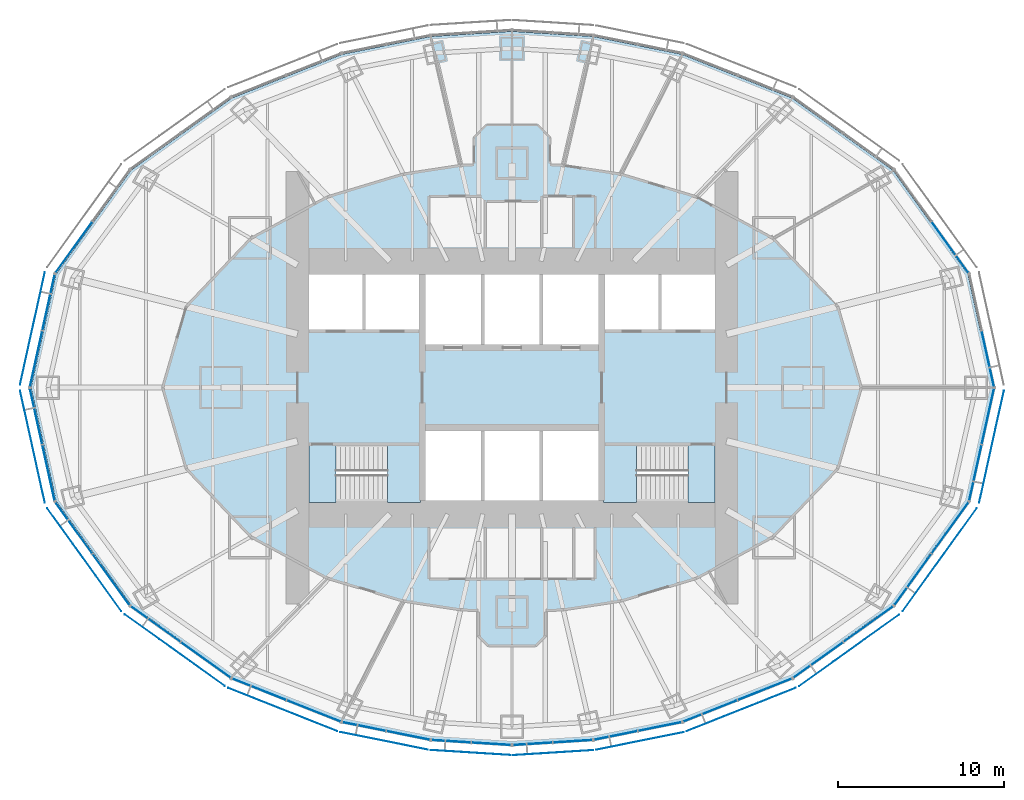
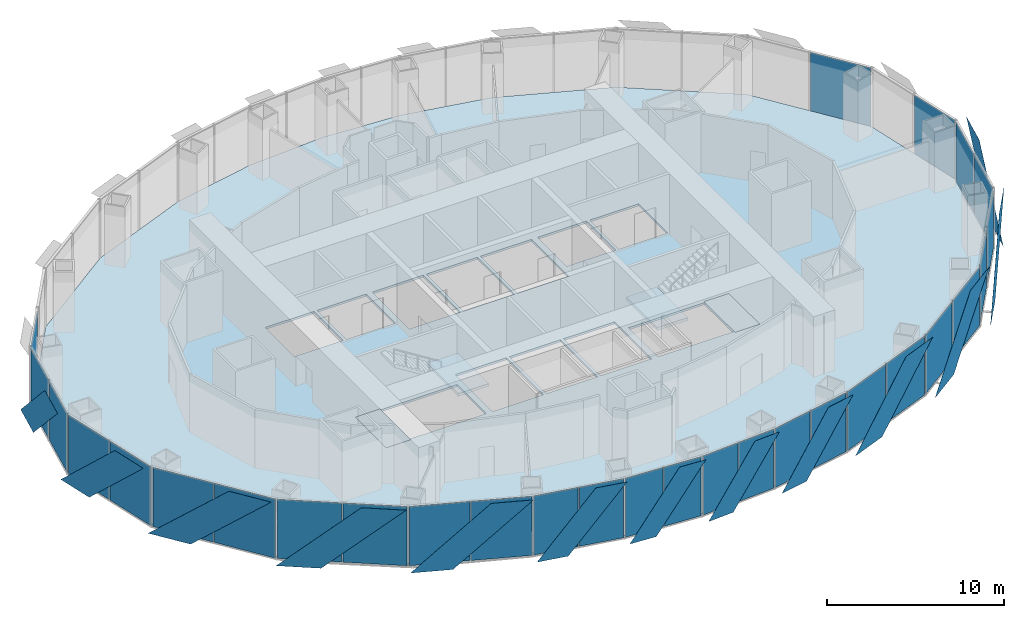
# One storey, part 9 of 18: 42 plates, 5 slabs, 18 elements without a shape of their own.
"""IFC4 building model written with IfcOpenShell, lengths in metres."""

from ifc_helpers import new_model, si_unit, direction, frame, origin, origin_2d, place, context, subcontext, project, spatial, polyline, rectangle, outline, extrude, material, layer, layer_set, type_object, element, aggregate, save


model = new_model("IFC4")

# Units and contexts
model_context = context("Model", 3, precision=1e-05, world=origin(), true_north=direction((0.0, 1.0)))
body_context = subcontext(model_context, "Body", "Model", "MODEL_VIEW")
ifc_project = project(units=[si_unit("LENGTHUNIT", "METRE"), si_unit("AREAUNIT", "SQUARE_METRE"), si_unit("VOLUMEUNIT", "CUBIC_METRE"), si_unit("PLANEANGLEUNIT", "RADIAN"), si_unit("MASSUNIT", "GRAM", prefix="KILO")], contexts=[model_context])

# Site, building, storey
site_placement = place(None, origin())
site = spatial("IfcSite", under=ifc_project, at=site_placement, CompositionType="ELEMENT")
building_placement = place(site_placement, origin())
building = spatial("IfcBuilding", under=site, at=building_placement, Name="Lantaw Convention Tower", CompositionType="ELEMENT")
storey_placement = place(building_placement, frame((0.0, 0.0, 184.60009765625)))
storey = spatial("IfcBuildingStorey", under=building, at=storey_placement, Name="L43", CompositionType="ELEMENT", Elevation=184.60009765625)

# Curtain wall, plate
ifc_material_1 = material(Name="Aluminium framed curtain wall", Category="aluminium")
curtain_wall_type = type_object("IfcCurtainWallType", Name="Office curtain wall low rise, pale aluminium", PredefinedType="USERDEFINED", material=ifc_material_1)
curtain_wall_1_placement = place(storey_placement, origin())
curtain_wall_1 = element("IfcCurtainWall", 1, at=curtain_wall_1_placement, inside=storey, type_object=curtain_wall_type, Name="Office curtain wall low rise, pale aluminium L43", ObjectType="UNITISED CURTAIN WALL", PredefinedType="USERDEFINED")
ifc_material_2 = material(Name="Clear insulating glass", Category="glass")
ifc_layer_1 = layer(ifc_material_2, 0.028076171875)
ifc_layer_set_1 = layer_set([ifc_layer_1], Name="CW-O1 panel 28")
plate_type_1 = type_object("IfcPlateType", Name="CW-O1 panel 28", PredefinedType="CURTAIN_PANEL", material=ifc_layer_set_1)
plate_1_placement = place(storey_placement, frame((28.618408203125, 1.729248046875, -0.0849609375), z_axis=(0.0, 0.0, 1.0), x_axis=(-0.215546166174, 0.9764936509, 0.0)))
plate_1 = element("IfcPlate", 2, at=plate_1_placement, type_object=plate_type_1, Name="CW-O1 panel 1.1", PredefinedType="CURTAIN_PANEL", context=body_context, shape_type="SweptSolid", body=[
    extrude(rectangle(XDim=3.41162109375, YDim=0.028076171875, at=origin_2d()), origin(), (0.0, 0.0, 1.0), 4.070068359375),
])
aggregate(curtain_wall_1, [plate_1])

curtain_wall_2_placement = place(storey_placement, origin())
curtain_wall_2 = element("IfcCurtainWall", 3, at=curtain_wall_2_placement, inside=storey, type_object=curtain_wall_type, Name="Office curtain wall low rise, pale aluminium L43", ObjectType="UNITISED CURTAIN WALL", PredefinedType="USERDEFINED")
plate_2_placement = place(storey_placement, frame((26.34814453125, 8.4345703125, -0.0849609375), z_axis=(0.0, 0.0, 1.0), x_axis=(-0.584512597221, 0.811384633629, 0.0)))
plate_2 = element("IfcPlate", 4, at=plate_2_placement, type_object=plate_type_1, Name="CW-O1 panel 1.1", PredefinedType="CURTAIN_PANEL", context=body_context, shape_type="SweptSolid", body=[
    extrude(rectangle(XDim=3.767333984375, YDim=0.028076171875, at=origin_2d()), origin(), (0.0, 0.0, 1.0), 4.070068359375),
])
aggregate(curtain_wall_2, [plate_2])

curtain_wall_3_placement = place(storey_placement, origin())
curtain_wall_3 = element("IfcCurtainWall", 5, at=curtain_wall_3_placement, inside=storey, type_object=curtain_wall_type, Name="Office curtain wall low rise, pale aluminium L43", ObjectType="UNITISED CURTAIN WALL", PredefinedType="USERDEFINED")
plate_3_placement = place(storey_placement, frame((-26.34814453125, 8.4345703125, -0.0849609375), z_axis=(0.0, 0.0, 1.0), x_axis=(-0.584512597221, -0.811384633629, 0.0)))
plate_3 = element("IfcPlate", 6, at=plate_3_placement, type_object=plate_type_1, Name="CW-O1 panel 2.1", PredefinedType="CURTAIN_PANEL", context=body_context, shape_type="SweptSolid", body=[
    extrude(rectangle(XDim=3.767333984375, YDim=0.028076171875, at=origin_2d()), origin(), (0.0, 0.0, 1.0), 4.070068359375),
])
aggregate(curtain_wall_3, [plate_3])

# Curtain wall, plates
curtain_wall_4_placement = place(storey_placement, origin())
curtain_wall_4 = element("IfcCurtainWall", 7, at=curtain_wall_4_placement, inside=storey, type_object=curtain_wall_type, Name="Office curtain wall low rise, pale aluminium L43", ObjectType="UNITISED CURTAIN WALL", PredefinedType="USERDEFINED")
plate_4_placement = place(storey_placement, frame((-27.868896484375, 5.1240234375, -0.0849609375), z_axis=(0.0, 0.0, 1.0), x_axis=(-0.215546166174, -0.9764936509, 0.0)))
plate_4 = element("IfcPlate", 8, at=plate_4_placement, type_object=plate_type_1, Name="CW-O1 panel 1.1", PredefinedType="CURTAIN_PANEL", context=body_context, shape_type="SweptSolid", body=[
    extrude(rectangle(XDim=3.41162109375, YDim=0.028076171875, at=origin_2d()), origin(), (0.0, 0.0, 1.0), 4.070068359375),
])
plate_5_placement = place(storey_placement, frame((-28.618408203125, 1.729248046875, -0.0849609375), z_axis=(0.0, 0.0, 1.0), x_axis=(-0.215546166174, -0.9764936509, 0.0)))
plate_5 = element("IfcPlate", 9, at=plate_5_placement, type_object=plate_type_1, Name="CW-O1 panel 2.1", PredefinedType="CURTAIN_PANEL", context=body_context, shape_type="SweptSolid", body=[
    extrude(rectangle(XDim=3.41162109375, YDim=0.028076171875, at=origin_2d()), origin(), (0.0, 0.0, 1.0), 4.070068359375),
])
aggregate(curtain_wall_4, [plate_4, plate_5])

curtain_wall_5_placement = place(storey_placement, origin())
curtain_wall_5 = element("IfcCurtainWall", 10, at=curtain_wall_5_placement, inside=storey, type_object=curtain_wall_type, Name="Office curtain wall low rise, pale aluminium L43", ObjectType="UNITISED CURTAIN WALL", PredefinedType="USERDEFINED")
plate_6_placement = place(storey_placement, frame((-28.618408203125, -1.729248046875, -0.0849609375), z_axis=(0.0, 0.0, 1.0), x_axis=(0.215546166174, -0.9764936509, 0.0)))
plate_6 = element("IfcPlate", 11, at=plate_6_placement, type_object=plate_type_1, Name="CW-O1 panel 1.1", PredefinedType="CURTAIN_PANEL", context=body_context, shape_type="SweptSolid", body=[
    extrude(rectangle(XDim=3.41162109375, YDim=0.028076171875, at=origin_2d()), origin(), (0.0, 0.0, 1.0), 4.070068359375),
])
plate_7_placement = place(storey_placement, frame((-27.868896484375, -5.1240234375, -0.0849609375), z_axis=(0.0, 0.0, 1.0), x_axis=(0.215546166174, -0.9764936509, 0.0)))
plate_7 = element("IfcPlate", 12, at=plate_7_placement, type_object=plate_type_1, Name="CW-O1 panel 2.1", PredefinedType="CURTAIN_PANEL", context=body_context, shape_type="SweptSolid", body=[
    extrude(rectangle(XDim=3.41162109375, YDim=0.028076171875, at=origin_2d()), origin(), (0.0, 0.0, 1.0), 4.070068359375),
])
aggregate(curtain_wall_5, [plate_6, plate_7])

curtain_wall_6_placement = place(storey_placement, origin())
curtain_wall_6 = element("IfcCurtainWall", 13, at=curtain_wall_6_placement, inside=storey, type_object=curtain_wall_type, Name="Office curtain wall low rise, pale aluminium L43", ObjectType="UNITISED CURTAIN WALL", PredefinedType="USERDEFINED")
plate_8_placement = place(storey_placement, frame((-26.34814453125, -8.4345703125, -0.0849609375), z_axis=(0.0, 0.0, 1.0), x_axis=(0.584512597221, -0.811384633629, 0.0)))
plate_8 = element("IfcPlate", 14, at=plate_8_placement, type_object=plate_type_1, Name="CW-O1 panel 1.1", PredefinedType="CURTAIN_PANEL", context=body_context, shape_type="SweptSolid", body=[
    extrude(rectangle(XDim=3.767333984375, YDim=0.028076171875, at=origin_2d()), origin(), (0.0, 0.0, 1.0), 4.070068359375),
])
plate_9_placement = place(storey_placement, frame((-24.108154296875, -11.5439453125, -0.0849609375), z_axis=(0.0, 0.0, 1.0), x_axis=(0.584512597221, -0.811384633629, 0.0)))
plate_9 = element("IfcPlate", 15, at=plate_9_placement, type_object=plate_type_1, Name="CW-O1 panel 2.1", PredefinedType="CURTAIN_PANEL", context=body_context, shape_type="SweptSolid", body=[
    extrude(rectangle(XDim=3.767333984375, YDim=0.028076171875, at=origin_2d()), origin(), (0.0, 0.0, 1.0), 4.070068359375),
])
aggregate(curtain_wall_6, [plate_8, plate_9])

curtain_wall_7_placement = place(storey_placement, origin())
curtain_wall_7 = element("IfcCurtainWall", 16, at=curtain_wall_7_placement, inside=storey, type_object=curtain_wall_type, Name="Office curtain wall low rise, pale aluminium L43", ObjectType="UNITISED CURTAIN WALL", PredefinedType="USERDEFINED")
plate_10_placement = place(storey_placement, frame((-21.43408203125, -14.2236328125, -0.0849609375), z_axis=(0.0, 0.0, 1.0), x_axis=(0.813208325995, -0.581972695693, 0.0)))
plate_10 = element("IfcPlate", 17, at=plate_10_placement, type_object=plate_type_1, Name="CW-O1 panel 1.1", PredefinedType="CURTAIN_PANEL", context=body_context, shape_type="SweptSolid", body=[
    extrude(rectangle(XDim=3.645263671875, YDim=0.028076171875, at=origin_2d()), origin(), (0.0, 0.0, 1.0), 4.070068359375),
])
plate_11_placement = place(storey_placement, frame((-18.416748046875, -16.383056640625, -0.0849609375), z_axis=(0.0, 0.0, 1.0), x_axis=(0.813208325995, -0.581972695693, 0.0)))
plate_11 = element("IfcPlate", 18, at=plate_11_placement, type_object=plate_type_1, Name="CW-O1 panel 2.1", PredefinedType="CURTAIN_PANEL", context=body_context, shape_type="SweptSolid", body=[
    extrude(rectangle(XDim=3.645263671875, YDim=0.028076171875, at=origin_2d()), origin(), (0.0, 0.0, 1.0), 4.070068359375),
])
aggregate(curtain_wall_7, [plate_10, plate_11])

curtain_wall_8_placement = place(storey_placement, origin())
curtain_wall_8 = element("IfcCurtainWall", 19, at=curtain_wall_8_placement, inside=storey, type_object=curtain_wall_type, Name="Office curtain wall low rise, pale aluminium L43", ObjectType="UNITISED CURTAIN WALL", PredefinedType="USERDEFINED")
plate_12_placement = place(storey_placement, frame((-15.208251953125, -18.145263671875, -0.0849609375), z_axis=(0.0, 0.0, 1.0), x_axis=(0.929547687544, -0.368701907483, 0.0)))
plate_12 = element("IfcPlate", 20, at=plate_12_placement, type_object=plate_type_1, Name="CW-O1 panel 1.1", PredefinedType="CURTAIN_PANEL", context=body_context, shape_type="SweptSolid", body=[
    extrude(rectangle(XDim=3.470703125, YDim=0.028076171875, at=origin_2d()), origin(), (0.0, 0.0, 1.0), 4.070068359375),
])
plate_13_placement = place(storey_placement, frame((-11.921630859375, -19.448974609375, -0.0849609375), z_axis=(0.0, 0.0, 1.0), x_axis=(0.929547687544, -0.368701907483, 0.0)))
plate_13 = element("IfcPlate", 21, at=plate_13_placement, type_object=plate_type_1, Name="CW-O1 panel 2.1", PredefinedType="CURTAIN_PANEL", context=body_context, shape_type="SweptSolid", body=[
    extrude(rectangle(XDim=3.470703125, YDim=0.028076171875, at=origin_2d()), origin(), (0.0, 0.0, 1.0), 4.070068359375),
])
aggregate(curtain_wall_8, [plate_12, plate_13])

curtain_wall_9_placement = place(storey_placement, origin())
curtain_wall_9 = element("IfcCurtainWall", 22, at=curtain_wall_9_placement, inside=storey, type_object=curtain_wall_type, Name="Office curtain wall low rise, pale aluminium L43", ObjectType="UNITISED CURTAIN WALL", PredefinedType="USERDEFINED")
plate_14_placement = place(storey_placement, frame((-8.893310546875, -20.3857421875, -0.0849609375), z_axis=(0.0, 0.0, 1.0), x_axis=(0.980301514912, -0.197506809659, 0.0)))
plate_14 = element("IfcPlate", 23, at=plate_14_placement, type_object=plate_type_1, Name="CW-O1 panel 1.1", PredefinedType="CURTAIN_PANEL", context=body_context, shape_type="SweptSolid", body=[
    extrude(rectangle(XDim=2.634033203125, YDim=0.028076171875, at=origin_2d()), origin(), (0.0, 0.0, 1.0), 4.070068359375),
])
plate_15_placement = place(storey_placement, frame((-6.247314453125, -20.9189453125, -0.0849609375), z_axis=(0.0, 0.0, 1.0), x_axis=(0.980301514912, -0.197506809659, 0.0)))
plate_15 = element("IfcPlate", 24, at=plate_15_placement, type_object=plate_type_1, Name="CW-O1 panel 2.1", PredefinedType="CURTAIN_PANEL", context=body_context, shape_type="SweptSolid", body=[
    extrude(rectangle(XDim=2.634033203125, YDim=0.028076171875, at=origin_2d()), origin(), (0.0, 0.0, 1.0), 4.070068359375),
])
aggregate(curtain_wall_9, [plate_14, plate_15])

curtain_wall_10_placement = place(storey_placement, origin())
curtain_wall_10 = element("IfcCurtainWall", 25, at=curtain_wall_10_placement, inside=storey, type_object=curtain_wall_type, Name="Office curtain wall low rise, pale aluminium L43", ObjectType="UNITISED CURTAIN WALL", PredefinedType="USERDEFINED")
plate_16_placement = place(storey_placement, frame((-3.653076171875, -21.269775390625, -0.0849609375), z_axis=(0.0, 0.0, 1.0), x_axis=(0.998022035978, -0.062865059466, 0.0)))
plate_16 = element("IfcPlate", 26, at=plate_16_placement, type_object=plate_type_1, Name="CW-O1 panel 1.1", PredefinedType="CURTAIN_PANEL", context=body_context, shape_type="SweptSolid", body=[
    extrude(rectangle(XDim=2.353515625, YDim=0.028076171875, at=origin_2d()), origin(), (0.0, 0.0, 1.0), 4.070068359375),
])
plate_17_placement = place(storey_placement, frame((-1.2392578125, -21.421875, -0.0849609375), z_axis=(0.0, 0.0, 1.0), x_axis=(0.998022035978, -0.062865059466, 0.0)))
plate_17 = element("IfcPlate", 27, at=plate_17_placement, type_object=plate_type_1, Name="CW-O1 panel 2.1", PredefinedType="CURTAIN_PANEL", context=body_context, shape_type="SweptSolid", body=[
    extrude(rectangle(XDim=2.353515625, YDim=0.028076171875, at=origin_2d()), origin(), (0.0, 0.0, 1.0), 4.070068359375),
])
aggregate(curtain_wall_10, [plate_16, plate_17])

curtain_wall_11_placement = place(storey_placement, origin())
curtain_wall_11 = element("IfcCurtainWall", 28, at=curtain_wall_11_placement, inside=storey, type_object=curtain_wall_type, Name="Office curtain wall low rise, pale aluminium L43", ObjectType="UNITISED CURTAIN WALL", PredefinedType="USERDEFINED")
plate_18_placement = place(storey_placement, frame((1.2392578125, -21.421875, -0.0849609375), z_axis=(0.0, 0.0, 1.0), x_axis=(0.998022035978, 0.062865059466, 0.0)))
plate_18 = element("IfcPlate", 29, at=plate_18_placement, type_object=plate_type_1, Name="CW-O1 panel 1.1", PredefinedType="CURTAIN_PANEL", context=body_context, shape_type="SweptSolid", body=[
    extrude(rectangle(XDim=2.353515625, YDim=0.028076171875, at=origin_2d()), origin(), (0.0, 0.0, 1.0), 4.070068359375),
])
plate_19_placement = place(storey_placement, frame((3.653076171875, -21.269775390625, -0.0849609375), z_axis=(0.0, 0.0, 1.0), x_axis=(0.998022035978, 0.062865059466, 0.0)))
plate_19 = element("IfcPlate", 30, at=plate_19_placement, type_object=plate_type_1, Name="CW-O1 panel 2.1", PredefinedType="CURTAIN_PANEL", context=body_context, shape_type="SweptSolid", body=[
    extrude(rectangle(XDim=2.353515625, YDim=0.028076171875, at=origin_2d()), origin(), (0.0, 0.0, 1.0), 4.070068359375),
])
aggregate(curtain_wall_11, [plate_18, plate_19])

curtain_wall_12_placement = place(storey_placement, origin())
curtain_wall_12 = element("IfcCurtainWall", 31, at=curtain_wall_12_placement, inside=storey, type_object=curtain_wall_type, Name="Office curtain wall low rise, pale aluminium L43", ObjectType="UNITISED CURTAIN WALL", PredefinedType="USERDEFINED")
plate_20_placement = place(storey_placement, frame((6.247314453125, -20.9189453125, -0.0849609375), z_axis=(0.0, 0.0, 1.0), x_axis=(0.980301514912, 0.197506809659, 0.0)))
plate_20 = element("IfcPlate", 32, at=plate_20_placement, type_object=plate_type_1, Name="CW-O1 panel 1.1", PredefinedType="CURTAIN_PANEL", context=body_context, shape_type="SweptSolid", body=[
    extrude(rectangle(XDim=2.634033203125, YDim=0.028076171875, at=origin_2d()), origin(), (0.0, 0.0, 1.0), 4.070068359375),
])
plate_21_placement = place(storey_placement, frame((8.893310546875, -20.3857421875, -0.0849609375), z_axis=(0.0, 0.0, 1.0), x_axis=(0.980301514912, 0.197506809659, 0.0)))
plate_21 = element("IfcPlate", 33, at=plate_21_placement, type_object=plate_type_1, Name="CW-O1 panel 2.1", PredefinedType="CURTAIN_PANEL", context=body_context, shape_type="SweptSolid", body=[
    extrude(rectangle(XDim=2.634033203125, YDim=0.028076171875, at=origin_2d()), origin(), (0.0, 0.0, 1.0), 4.070068359375),
])
aggregate(curtain_wall_12, [plate_20, plate_21])

curtain_wall_13_placement = place(storey_placement, origin())
curtain_wall_13 = element("IfcCurtainWall", 34, at=curtain_wall_13_placement, inside=storey, type_object=curtain_wall_type, Name="Office curtain wall low rise, pale aluminium L43", ObjectType="UNITISED CURTAIN WALL", PredefinedType="USERDEFINED")
plate_22_placement = place(storey_placement, frame((11.921630859375, -19.448974609375, -0.0849609375), z_axis=(0.0, 0.0, 1.0), x_axis=(0.929547687544, 0.368701907483, 0.0)))
plate_22 = element("IfcPlate", 35, at=plate_22_placement, type_object=plate_type_1, Name="CW-O1 panel 1.1", PredefinedType="CURTAIN_PANEL", context=body_context, shape_type="SweptSolid", body=[
    extrude(rectangle(XDim=3.470703125, YDim=0.028076171875, at=origin_2d()), origin(), (0.0, 0.0, 1.0), 4.070068359375),
])
plate_23_placement = place(storey_placement, frame((15.208251953125, -18.145263671875, -0.0849609375), z_axis=(0.0, 0.0, 1.0), x_axis=(0.929547687544, 0.368701907483, 0.0)))
plate_23 = element("IfcPlate", 36, at=plate_23_placement, type_object=plate_type_1, Name="CW-O1 panel 2.1", PredefinedType="CURTAIN_PANEL", context=body_context, shape_type="SweptSolid", body=[
    extrude(rectangle(XDim=3.470703125, YDim=0.028076171875, at=origin_2d()), origin(), (0.0, 0.0, 1.0), 4.070068359375),
])
aggregate(curtain_wall_13, [plate_22, plate_23])

curtain_wall_14_placement = place(storey_placement, origin())
curtain_wall_14 = element("IfcCurtainWall", 37, at=curtain_wall_14_placement, inside=storey, type_object=curtain_wall_type, Name="Office curtain wall low rise, pale aluminium L43", ObjectType="UNITISED CURTAIN WALL", PredefinedType="USERDEFINED")
plate_24_placement = place(storey_placement, frame((18.416748046875, -16.383056640625, -0.0849609375), z_axis=(0.0, 0.0, 1.0), x_axis=(0.813208325995, 0.581972695693, 0.0)))
plate_24 = element("IfcPlate", 38, at=plate_24_placement, type_object=plate_type_1, Name="CW-O1 panel 1.1", PredefinedType="CURTAIN_PANEL", context=body_context, shape_type="SweptSolid", body=[
    extrude(rectangle(XDim=3.645263671875, YDim=0.028076171875, at=origin_2d()), origin(), (0.0, 0.0, 1.0), 4.070068359375),
])
plate_25_placement = place(storey_placement, frame((21.43408203125, -14.2236328125, -0.0849609375), z_axis=(0.0, 0.0, 1.0), x_axis=(0.813208325995, 0.581972695693, 0.0)))
plate_25 = element("IfcPlate", 39, at=plate_25_placement, type_object=plate_type_1, Name="CW-O1 panel 2.1", PredefinedType="CURTAIN_PANEL", context=body_context, shape_type="SweptSolid", body=[
    extrude(rectangle(XDim=3.645263671875, YDim=0.028076171875, at=origin_2d()), origin(), (0.0, 0.0, 1.0), 4.070068359375),
])
aggregate(curtain_wall_14, [plate_24, plate_25])

curtain_wall_15_placement = place(storey_placement, origin())
curtain_wall_15 = element("IfcCurtainWall", 40, at=curtain_wall_15_placement, inside=storey, type_object=curtain_wall_type, Name="Office curtain wall low rise, pale aluminium L43", ObjectType="UNITISED CURTAIN WALL", PredefinedType="USERDEFINED")
plate_26_placement = place(storey_placement, frame((24.108154296875, -11.5439453125, -0.0849609375), z_axis=(0.0, 0.0, 1.0), x_axis=(0.584512597221, 0.811384633629, 0.0)))
plate_26 = element("IfcPlate", 41, at=plate_26_placement, type_object=plate_type_1, Name="CW-O1 panel 1.1", PredefinedType="CURTAIN_PANEL", context=body_context, shape_type="SweptSolid", body=[
    extrude(rectangle(XDim=3.767333984375, YDim=0.028076171875, at=origin_2d()), origin(), (0.0, 0.0, 1.0), 4.070068359375),
])
plate_27_placement = place(storey_placement, frame((26.34814453125, -8.4345703125, -0.0849609375), z_axis=(0.0, 0.0, 1.0), x_axis=(0.584512597221, 0.811384633629, 0.0)))
plate_27 = element("IfcPlate", 42, at=plate_27_placement, type_object=plate_type_1, Name="CW-O1 panel 2.1", PredefinedType="CURTAIN_PANEL", context=body_context, shape_type="SweptSolid", body=[
    extrude(rectangle(XDim=3.767333984375, YDim=0.028076171875, at=origin_2d()), origin(), (0.0, 0.0, 1.0), 4.070068359375),
])
aggregate(curtain_wall_15, [plate_26, plate_27])

curtain_wall_16_placement = place(storey_placement, origin())
curtain_wall_16 = element("IfcCurtainWall", 43, at=curtain_wall_16_placement, inside=storey, type_object=curtain_wall_type, Name="Office curtain wall low rise, pale aluminium L43", ObjectType="UNITISED CURTAIN WALL", PredefinedType="USERDEFINED")
plate_28_placement = place(storey_placement, frame((27.868896484375, -5.1240234375, -0.0849609375), z_axis=(0.0, 0.0, 1.0), x_axis=(0.215546166174, 0.9764936509, 0.0)))
plate_28 = element("IfcPlate", 44, at=plate_28_placement, type_object=plate_type_1, Name="CW-O1 panel 1.1", PredefinedType="CURTAIN_PANEL", context=body_context, shape_type="SweptSolid", body=[
    extrude(rectangle(XDim=3.41162109375, YDim=0.028076171875, at=origin_2d()), origin(), (0.0, 0.0, 1.0), 4.070068359375),
])
plate_29_placement = place(storey_placement, frame((28.618408203125, -1.729248046875, -0.0849609375), z_axis=(0.0, 0.0, 1.0), x_axis=(0.215546166174, 0.9764936509, 0.0)))
plate_29 = element("IfcPlate", 45, at=plate_29_placement, type_object=plate_type_1, Name="CW-O1 panel 2.1", PredefinedType="CURTAIN_PANEL", context=body_context, shape_type="SweptSolid", body=[
    extrude(rectangle(XDim=3.41162109375, YDim=0.028076171875, at=origin_2d()), origin(), (0.0, 0.0, 1.0), 4.070068359375),
])
aggregate(curtain_wall_16, [plate_28, plate_29])

# Slab
ifc_material_3 = material(Name="Concrete C35/45", Category="concrete")
ifc_layer_2 = layer(ifc_material_3, 0.14990234375)
ifc_layer_set_2 = layer_set([ifc_layer_2], Name="Floor slab 150")
slab_type_1 = type_object("IfcSlabType", Name="Floor slab 150", PredefinedType="FLOOR", material=ifc_layer_set_2)
slab_1_placement = place(storey_placement, frame((0.0, 0.0, -0.150146484375)))
element("IfcSlab", 46, at=slab_1_placement, inside=storey, type_object=slab_type_1, Name="L43 floor slab", PredefinedType="FLOOR", context=body_context, shape_type="SweptSolid", body=[
    extrude(outline(polyline([(27.417236328125, -6.822021484375), (28.923095703125, 0.0), (27.417236328125, 6.822021484375), (22.915283203125, 13.0712890625), (16.845458984375, 17.415283203125), (10.2265625, 20.04052734375), (4.8828125, 21.1171875), (0.0, 21.4248046875), (-4.8828125, 21.1171875), (-10.2265625, 20.04052734375), (-16.845458984375, 17.415283203125), (-22.915283203125, 13.0712890625), (-27.417236328125, 6.822021484375), (-28.923095703125, 0.0), (-27.417236328125, -6.822021484375), (-22.915283203125, -13.0712890625), (-16.845458984375, -17.415283203125), (-10.2265625, -20.04052734375), (-4.8828125, -21.1171875), (0.0, -21.4248046875), (4.8828125, -21.1171875), (10.2265625, -20.04052734375), (16.845458984375, -17.415283203125), (22.915283203125, -13.0712890625), (27.417236328125, -6.822021484375)]), holes=[polyline([(-5.60009765625, -3.5), (-12.199951171875, -3.5), (-12.199951171875, -6.800048828125), (-5.60009765625, -6.800048828125), (-5.60009765625, -3.5)]), polyline([(-1.86669921875, -6.800048828125), (-1.86669921875, -2.60009765625), (-5.199951171875, -2.60009765625), (-5.199951171875, -6.800048828125), (-1.86669921875, -6.800048828125)]), polyline([(-1.86669921875, 2.60009765625), (-1.86669921875, 6.800048828125), (-5.199951171875, 6.800048828125), (-5.199951171875, 2.60009765625), (-1.86669921875, 2.60009765625)]), polyline([(1.666748046875, 6.800048828125), (-1.666748046875, 6.800048828125), (-1.666748046875, 2.60009765625), (1.666748046875, 2.60009765625), (1.666748046875, 6.800048828125)]), polyline([(-9.0, 3.5), (-9.0, 6.800048828125), (-12.199951171875, 6.800048828125), (-12.199951171875, 3.5), (-9.0, 3.5)]), polyline([(-5.60009765625, 3.5), (-5.60009765625, 6.800048828125), (-8.800048828125, 6.800048828125), (-8.800048828125, 3.5), (-5.60009765625, 3.5)]), polyline([(12.199951171875, -3.5), (5.60009765625, -3.5), (5.60009765625, -6.800048828125), (12.199951171875, -6.800048828125), (12.199951171875, -3.5)]), polyline([(1.666748046875, -6.800048828125), (1.666748046875, -2.60009765625), (-1.666748046875, -2.60009765625), (-1.666748046875, -6.800048828125), (1.666748046875, -6.800048828125)]), polyline([(5.199951171875, -6.800048828125), (5.199951171875, -2.60009765625), (1.86669921875, -2.60009765625), (1.86669921875, -6.800048828125), (5.199951171875, -6.800048828125)]), polyline([(5.199951171875, 6.800048828125), (1.86669921875, 6.800048828125), (1.86669921875, 2.60009765625), (5.199951171875, 2.60009765625), (5.199951171875, 6.800048828125)]), polyline([(8.800048828125, 3.5), (8.800048828125, 6.800048828125), (5.60009765625, 6.800048828125), (5.60009765625, 3.5), (8.800048828125, 3.5)]), polyline([(12.199951171875, 3.5), (12.199951171875, 6.800048828125), (9.0, 6.800048828125), (9.0, 3.5), (12.199951171875, 3.5)])]), origin(), (0.0, 0.0, 1.0), 0.150146484375),
])

# Plates
ifc_material_4 = material(Name="Perforated aluminium sheet, pale silver finish", Category="aluminium")
ifc_layer_3 = layer(ifc_material_4, 0.006103515625)
ifc_layer_set_3 = layer_set([ifc_layer_3], Name="Perforated aluminium solar SCREEN panel")
plate_type_2 = type_object("IfcPlateType", Name="Perforated aluminium solar SCREEN panel", PredefinedType="SHEET", material=ifc_layer_set_3)
plate_30_placement = place(storey_placement, frame((-28.08984375, 6.93505859375, -0.175048828125), z_axis=(0.976497812463, -0.215527309509, 3.3329045e-05), x_axis=(-0.215527309629, -0.976497813005, -1.665e-09)))
element("IfcPlate", 47, at=plate_30_placement, inside=storey, type_object=plate_type_2, Name="Solar SCREEN panel", PredefinedType="SHEET", context=body_context, shape_type="SweptSolid", body=[
    extrude(outline(polyline([(0.0, 0.0), (2.386131748388921, -3.3881317890172014e-21), (6.918240176095255, -4.339843763929156), (4.532055808734257, -4.33984375598333), (0.0, 0.0)])), origin(), (0.0, 0.0, -1.0), 0.006103515625),
])
plate_31_placement = place(storey_placement, frame((-29.5810546875, -0.179443359375, -0.175048828125), z_axis=(-0.976497812463, -0.215527309509, 3.3329045e-05), x_axis=(0.215527309629, -0.976497813005, 1.665e-09)))
element("IfcPlate", 48, at=plate_31_placement, inside=storey, type_object=plate_type_2, Name="Solar SCREEN panel", PredefinedType="SHEET", context=body_context, shape_type="SweptSolid", body=[
    extrude(outline(polyline([(0.0, 0.0), (2.3861843673609986, 0.0), (6.918240190546627, 4.339843740891906), (4.532108442157707, 4.339843748837556), (0.0, 0.0)])), origin(), (0.0, 0.0, -1.0), 0.006103515625),
])
plate_32_placement = place(storey_placement, frame((-27.94970703125, -7.248046875, -0.175048828125), z_axis=(-0.81139512159, -0.584498037099, 3.5888803e-05), x_axis=(0.584498037475, -0.811395122112, -9.74e-10)))
element("IfcPlate", 49, at=plate_32_placement, inside=storey, type_object=plate_type_2, Name="Solar SCREEN panel", PredefinedType="SHEET", context=body_context, shape_type="SweptSolid", body=[
    extrude(outline(polyline([(0.0, 0.0), (2.628222178575422, -6.776263578034403e-21), (7.629778257969264, 4.339843760228519), (5.001754173906077, 4.339843755107391), (0.0, 0.0)])), origin(), (0.0, 0.0, -1.0), 0.006103515625),
])
plate_33_placement = place(storey_placement, frame((-23.281005859375, -13.64697265625, -0.175048828125), z_axis=(-0.582000183937, -0.813188653244, 1.1537794e-05), x_axis=(0.813188653298, -0.582000183975, 0.0)))
element("IfcPlate", 50, at=plate_33_placement, inside=storey, type_object=plate_type_2, Name="Solar SCREEN panel", PredefinedType="SHEET", context=body_context, shape_type="SweptSolid", body=[
    extrude(outline(polyline([(0.0, 0.0), (2.5450183911586484, 1.6940658945086007e-21), (7.385531276904658, 4.339843750288861), (4.840512885746009, 4.339843750288861), (0.0, 0.0)])), origin(), (0.0, 0.0, -1.0), 0.006103515625),
])
plate_34_placement = place(storey_placement, frame((-17.05859375, -18.063232421875, -0.175048828125), z_axis=(0.368708915367, 0.929544907797, 1.0867661e-05), x_axis=(0.929544907851, -0.368708915389, 7.1e-10)))
element("IfcPlate", 51, at=plate_34_placement, inside=storey, type_object=plate_type_2, Name="Solar SCREEN panel", PredefinedType="SHEET", context=body_context, shape_type="SweptSolid", body=[
    extrude(outline(polyline([(0.0, 0.0), (2.4263803793049097, 0.0), (7.036549629566982, -4.339843745261612), (4.61003232741235, -4.339843748706285), (0.0, 0.0)])), origin(), (0.0, 0.0, -1.0), 0.006103515625),
])
plate_35_placement = place(storey_placement, frame((-10.318603515625, -20.716796875, -0.175048828125), z_axis=(-0.197556725442, -0.980291455983, 3.9485719e-05), x_axis=(0.980291456747, -0.197556725596, 0.0)))
element("IfcPlate", 52, at=plate_35_placement, inside=storey, type_object=plate_type_2, Name="Solar SCREEN panel", PredefinedType="SHEET", context=body_context, shape_type="SweptSolid", body=[
    extrude(outline(polyline([(0.0, 0.0), (1.8574075788555457, 1.6940658945086007e-21), (5.362987026845185, 4.339843753383173), (3.505579447989639, 4.339843753383173), (0.0, 0.0)])), origin(), (0.0, 0.0, -1.0), 0.006103515625),
])
plate_36_placement = place(storey_placement, frame((-4.880615234375, -21.7998046875, -0.175048828125), z_axis=(-0.062838799866, -0.998023689713, 1.755158e-06), x_axis=(0.998023689715, -0.062838799866, -8e-12)))
element("IfcPlate", 53, at=plate_36_placement, inside=storey, type_object=plate_type_2, Name="Solar SCREEN panel", PredefinedType="SHEET", context=body_context, shape_type="SweptSolid", body=[
    extrude(outline(polyline([(0.0, 0.0), (1.6666243269452135, 2.6469779601696886e-23), (4.802214797186689, 4.339843750045478), (3.135346812114104, 4.33984375001855), (0.0, 0.0)])), origin(), (0.0, 0.0, -1.0), 0.006103515625),
])
plate_37_placement = place(storey_placement, frame((0.087890625, -22.1015625, -0.175048828125), z_axis=(-0.062838799866, 0.998023689713, 1.755158e-06), x_axis=(0.998023689715, 0.062838799866, 8e-12)))
element("IfcPlate", 54, at=plate_37_placement, inside=storey, type_object=plate_type_2, Name="Solar SCREEN panel", PredefinedType="SHEET", context=body_context, shape_type="SweptSolid", body=[
    extrude(outline(polyline([(0.0, 0.0), (1.6668679850725854, -5.293955920339377e-23), (4.802214797256801, -4.339843749967897), (3.1355904703115876, -4.339843749994822), (0.0, 0.0)])), origin(), (0.0, 0.0, -1.0), 0.006103515625),
])
plate_38_placement = place(storey_placement, frame((5.061279296875, -21.776123046875, -0.175048828125), z_axis=(-0.197556725442, 0.980291455983, 3.9485719e-05), x_axis=(0.980291456747, 0.197556725596, 0.0)))
element("IfcPlate", 55, at=plate_38_placement, inside=storey, type_object=plate_type_2, Name="Solar SCREEN panel", PredefinedType="SHEET", context=body_context, shape_type="SweptSolid", body=[
    extrude(outline(polyline([(0.0, 0.0), (1.8574075788555457, -1.6940658945086007e-21), (5.362987026845185, -4.339843753383173), (3.505579447989639, -4.339843753383173), (0.0, 0.0)])), origin(), (0.0, 0.0, -1.0), 0.006103515625),
])
plate_39_placement = place(storey_placement, frame((10.517822265625, -20.65771484375, -0.175048828125), z_axis=(0.368708915367, -0.929544907797, 1.0867661e-05), x_axis=(0.929544907851, 0.368708915389, -7.1e-10)))
element("IfcPlate", 56, at=plate_39_placement, inside=storey, type_object=plate_type_2, Name="Solar SCREEN panel", PredefinedType="SHEET", context=body_context, shape_type="SweptSolid", body=[
    extrude(outline(polyline([(0.0, 0.0), (2.426517302154632, 1.6940658945086007e-21), (7.036549623406159, 4.339843755250667), (4.610169244101249, 4.339843751806188), (0.0, 0.0)])), origin(), (0.0, 0.0, -1.0), 0.006103515625),
])
plate_40_placement = place(storey_placement, frame((17.275146484375, -17.9453125, -0.175048828125), z_axis=(-0.582000183937, 0.813188653244, 1.1537794e-05), x_axis=(0.813188653298, 0.582000183975, 0.0)))
element("IfcPlate", 57, at=plate_40_placement, inside=storey, type_object=plate_type_2, Name="Solar SCREEN panel", PredefinedType="SHEET", context=body_context, shape_type="SweptSolid", body=[
    extrude(outline(polyline([(0.0, 0.0), (2.5450183911586484, -1.6940658945086007e-21), (7.385531276904658, -4.339843750288861), (4.840512885746009, -4.339843750288861), (0.0, 0.0)])), origin(), (0.0, 0.0, -1.0), 0.006103515625),
])
plate_41_placement = place(storey_placement, frame((23.489990234375, -13.438720703125, -0.175048828125), z_axis=(-0.81139512159, 0.584498037099, 3.5888803e-05), x_axis=(0.584498037475, 0.811395122112, 9.74e-10)))
element("IfcPlate", 58, at=plate_41_placement, inside=storey, type_object=plate_type_2, Name="Solar SCREEN panel", PredefinedType="SHEET", context=body_context, shape_type="SweptSolid", body=[
    extrude(outline(polyline([(0.0, 0.0), (2.6280240840631874, 6.776263578034403e-21), (7.62977826642615, -4.339843745360666), (5.001556087850728, -4.3398437504821805), (0.0, 0.0)])), origin(), (0.0, 0.0, -1.0), 0.006103515625),
])
plate_42_placement = place(storey_placement, frame((28.08984375, -6.93505859375, -0.175048828125), z_axis=(-0.976497812463, 0.215527309509, 3.3329045e-05), x_axis=(0.215527309629, 0.976497813005, -1.665e-09)))
element("IfcPlate", 59, at=plate_42_placement, inside=storey, type_object=plate_type_2, Name="Solar SCREEN panel", PredefinedType="SHEET", context=body_context, shape_type="SweptSolid", body=[
    extrude(outline(polyline([(0.0, 0.0), (2.386131748388921, -3.3881317890172014e-21), (6.918240176095255, -4.339843763929156), (4.532055808734257, -4.33984375598333), (0.0, 0.0)])), origin(), (0.0, 0.0, -1.0), 0.006103515625),
])

# Stair, slabs
stair_type = type_object("IfcStairType", Name="Exit stair 1500 riser 175 in 2 flights", PredefinedType="HALF_TURN_STAIR", material=ifc_material_3)
stair_1_placement = place(storey_placement, origin())
stair_1 = element("IfcStair", 60, at=stair_1_placement, inside=storey, type_object=stair_type, Name="Exit stair S1 L43", PredefinedType="HALF_TURN_STAIR")
ifc_layer_4 = layer(ifc_material_3, 0.199951171875)
ifc_layer_set_4 = layer_set([ifc_layer_4], Name="Stair landing 200")
slab_type_2 = type_object("IfcSlabType", Name="Stair landing 200", PredefinedType="LANDING", material=ifc_layer_set_4)
slab_2_placement = place(storey_placement, frame((0.0, 0.0, -0.2001953125)))
slab_2 = element("IfcSlab", 61, at=slab_2_placement, type_object=slab_type_2, Name="S1 landing 1", PredefinedType="LANDING", context=body_context, shape_type="SweptSolid", body=[
    extrude(outline(polyline([(-12.199951171875, -6.89990234375), (-10.580078125, -6.89990234375), (-10.580078125, -3.39990234375), (-12.199951171875, -3.39990234375), (-12.199951171875, -6.89990234375)])), origin(), (0.0, 0.0, 1.0), 0.2001953125),
])
slab_3_placement = place(storey_placement, frame((0.0, 0.0, 1.89990234375)))
slab_3 = element("IfcSlab", 62, at=slab_3_placement, type_object=slab_type_2, Name="S1 landing 2", PredefinedType="LANDING", context=body_context, shape_type="SweptSolid", body=[
    extrude(outline(polyline([(-7.5, -6.89990234375), (-5.5, -6.89990234375), (-5.5, -3.39990234375), (-7.5, -3.39990234375), (-7.5, -6.89990234375)])), origin(), (0.0, 0.0, 1.0), 0.199951171875),
])
aggregate(stair_1, [slab_2, slab_3])

stair_2_placement = place(storey_placement, origin())
stair_2 = element("IfcStair", 63, at=stair_2_placement, inside=storey, type_object=stair_type, Name="Exit stair S2 L43", PredefinedType="HALF_TURN_STAIR")
slab_4_placement = place(storey_placement, frame((0.0, 0.0, -0.2001953125)))
slab_4 = element("IfcSlab", 64, at=slab_4_placement, type_object=slab_type_2, Name="S2 landing 1", PredefinedType="LANDING", context=body_context, shape_type="SweptSolid", body=[
    extrude(outline(polyline([(10.580078125, -6.89990234375), (12.199951171875, -6.89990234375), (12.199951171875, -3.39990234375), (10.580078125, -3.39990234375), (10.580078125, -6.89990234375)])), origin(), (0.0, 0.0, 1.0), 0.2001953125),
])
slab_5_placement = place(storey_placement, frame((0.0, 0.0, 1.89990234375)))
slab_5 = element("IfcSlab", 65, at=slab_5_placement, type_object=slab_type_2, Name="S2 landing 2", PredefinedType="LANDING", context=body_context, shape_type="SweptSolid", body=[
    extrude(outline(polyline([(5.5, -6.89990234375), (7.5, -6.89990234375), (7.5, -3.39990234375), (5.5, -3.39990234375), (5.5, -6.89990234375)])), origin(), (0.0, 0.0, 1.0), 0.199951171875),
])
aggregate(stair_2, [slab_4, slab_5])

save(model, "model.ifc")
